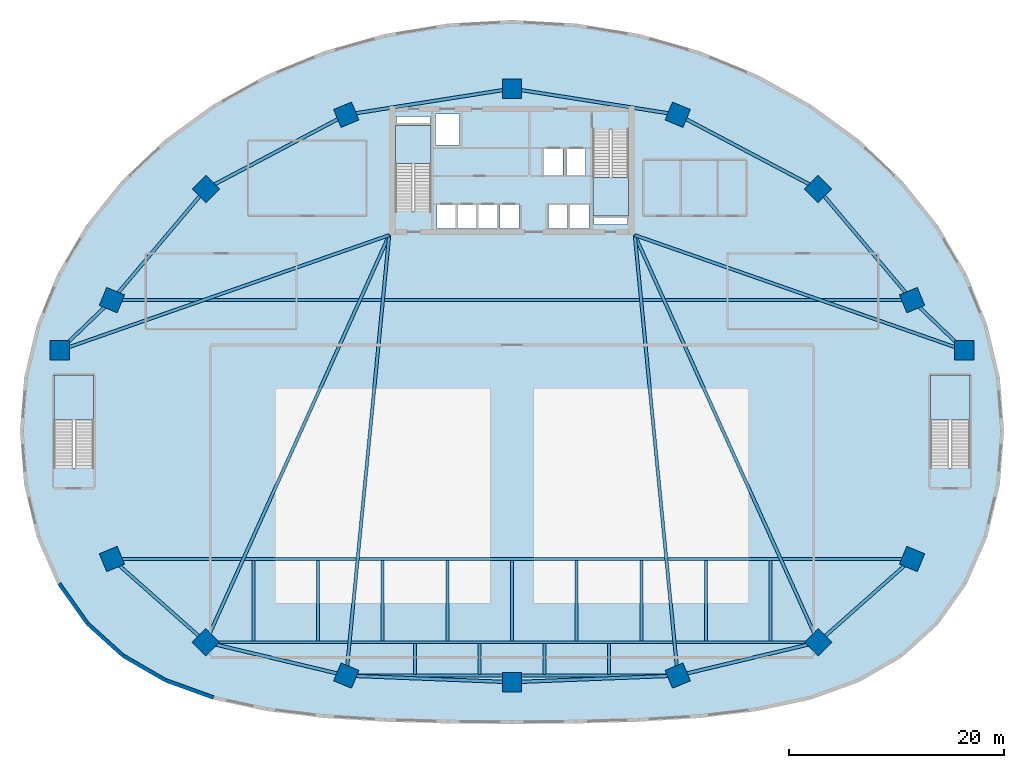
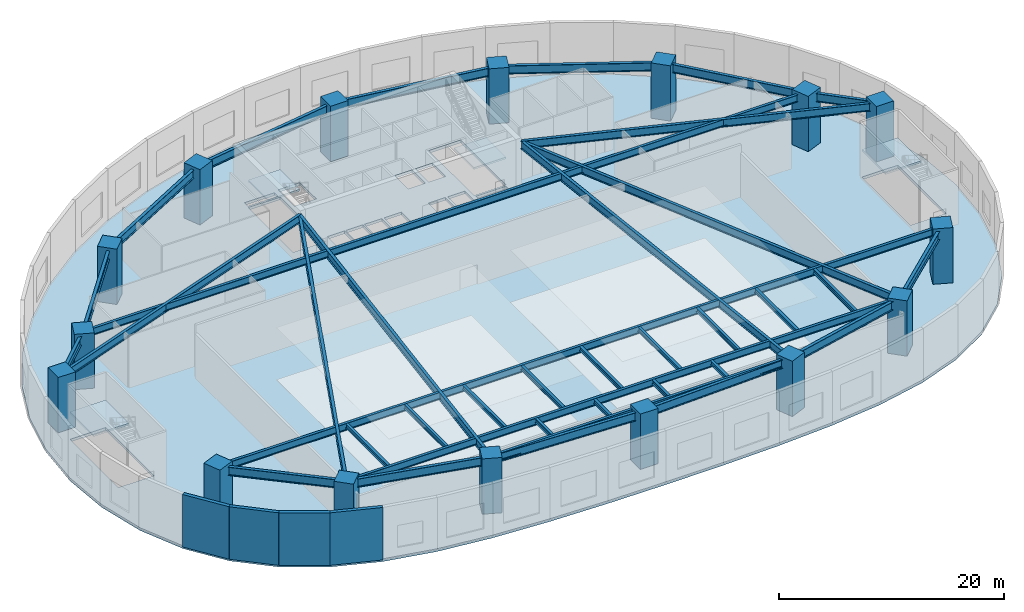
# One storey, part 1 of 10: 37 beams, 16 columns, 5 slabs, 4 walls, 4 elements without a shape of their own.
"""IFC4 building model written with IfcOpenShell, lengths in metres."""

from ifc_helpers import new_model, si_unit, direction, frame, frame_2d, origin, origin_2d, place, context, subcontext, project, spatial, polyline, rectangle, i_section, outline, extrude, source, transform, mapped, material, layer, layer_set, material_profile, profile_set, type_object, type_shapes, element, aggregate, save


model = new_model("IFC4")

# Units and contexts
model_context = context("Model", 3, precision=1e-05, world=origin(), true_north=direction((0.0, 1.0)))
body_context = subcontext(model_context, "Body", "Model", "MODEL_VIEW")
ifc_project = project(units=[si_unit("LENGTHUNIT", "METRE"), si_unit("AREAUNIT", "SQUARE_METRE"), si_unit("VOLUMEUNIT", "CUBIC_METRE"), si_unit("PLANEANGLEUNIT", "RADIAN"), si_unit("MASSUNIT", "GRAM", prefix="KILO")], contexts=[model_context])

# Site, building, storey
site_placement = place(None, origin())
site = spatial("IfcSite", under=ifc_project, at=site_placement, CompositionType="ELEMENT")
building_placement = place(site_placement, origin())
building = spatial("IfcBuilding", under=site, at=building_placement, Name="Breltana Convention Tower", CompositionType="ELEMENT")
storey_placement = place(building_placement, frame((0.0, 0.0, 6.0)))
storey = spatial("IfcBuildingStorey", under=building, at=storey_placement, Name="L01", CompositionType="ELEMENT", Elevation=6.0)

# Columns
ifc_material_1 = material(Name="Concrete C60/75", Category="concrete")
ifc_material_profile_1 = material_profile(ifc_material_1, rectangle(XDim=1.800048828125, YDim=1.800048828125, at=origin_2d()), Name="RC-COL-1800X1800")
ifc_profile_set_1 = profile_set([ifc_material_profile_1], Name="Concrete C60/75")
column_type = type_object("IfcColumnType", Name="COL-MC-1800", PredefinedType="COLUMN", material=ifc_profile_set_1)
shared_shape_1 = source(origin(), body_context, "Body", "SweptSolid", [
    extrude(rectangle(XDim=1.800048828125, YDim=1.800048828125, at=origin_2d()), origin(), (0.0, 0.0, 1.0), 6.0),
])
type_shapes(column_type, [shared_shape_1])
for number, where, z_axis, x_axis, name in (
    (1, (90.0, 49.5, 0.0), (0.0, 0.0, 1.0), (1.0, 0.0, 0.0), "L01 Podium Mega-Column MC-01"),
    (2, (85.139892578125, 54.169189453125, 0.0), (0.0, 0.0, 1.0), (0.923879532511, 0.382683432365, 0.0), "L01 Podium Mega-Column MC-02"),
    (3, (76.42578125, 64.486083984375, 0.0), (0.0, 0.0, 1.0), (0.707106781187, 0.707106781187, 0.0), "L01 Podium Mega-Column MC-03"),
    (4, (63.3837890625, 71.37939453125, 0.0), (0.0, 0.0, 1.0), (0.382683432365, 0.923879532511, 0.0), "L01 Podium Mega-Column MC-04"),
    (5, (48.0, 73.800048828125, 0.0), (0.0, 0.0, 1.0), (0.0, 1.0, 0.0), "L01 Podium Mega-Column MC-05"),
    (6, (32.6162109375, 71.37939453125, 0.0), (0.0, 0.0, 1.0), (-0.382683432365, 0.923879532511, 0.0), "L01 Podium Mega-Column MC-06"),
    (7, (19.57421875, 64.486083984375, 0.0), (0.0, 0.0, 1.0), (-0.707106781187, 0.707106781187, 0.0), "L01 Podium Mega-Column MC-07"),
    (8, (10.860107421875, 54.169189453125, 0.0), (0.0, 0.0, 1.0), (-0.923879532511, 0.382683432365, 0.0), "L01 Podium Mega-Column MC-08"),
    (9, (6.0, 49.5, 0.0), (0.0, 0.0, 1.0), (-1.0, 0.0, 0.0), "L01 Podium Mega-Column MC-09"),
    (10, (10.860107421875, 30.136962890625, 0.0), (0.0, 0.0, 1.0), (-0.923879532511, -0.382683432365, 0.0), "L01 Podium Mega-Column MC-10"),
    (11, (19.57421875, 22.412109375, 0.0), (0.0, 0.0, 1.0), (-0.707106781187, -0.707106781187, 0.0), "L01 Podium Mega-Column MC-11"),
    (12, (32.6162109375, 19.3125, 0.0), (0.0, 0.0, 1.0), (-0.382683432365, -0.923879532511, 0.0), "L01 Podium Mega-Column MC-12"),
    (13, (48.0, 18.699951171875, 0.0), (0.0, 0.0, 1.0), (0.0, -1.0, 0.0), "L01 Podium Mega-Column MC-13"),
    (14, (63.3837890625, 19.3125, 0.0), (0.0, 0.0, 1.0), (0.382683432365, -0.923879532511, 0.0), "L01 Podium Mega-Column MC-14"),
    (15, (76.42578125, 22.412109375, 0.0), (0.0, 0.0, 1.0), (0.707106781187, -0.707106781187, 0.0), "L01 Podium Mega-Column MC-15"),
    (16, (85.139892578125, 30.136962890625, 0.0), (0.0, 0.0, 1.0), (0.923879532511, -0.382683432365, 0.0), "L01 Podium Mega-Column MC-16"),
):
    element("IfcColumn", number, at=place(storey_placement, frame(where, z_axis=z_axis, x_axis=x_axis)), inside=storey, type_object=column_type, Name=name, PredefinedType="COLUMN", context=body_context, shape_type="MappedRepresentation", body=[
        mapped(shared_shape_1, transform((0.0, 0.0, 0.0), scale=1.0)),
    ])

# Beams
ifc_material_2 = material(Name="Steel ASTM A992 Grade 50", Category="steel")
ifc_material_profile_2 = material_profile(ifc_material_2, i_section(OverallWidth=0.304931640625, OverallDepth=0.9189453125, WebThickness=0.017333984375, FlangeThickness=0.02783203125, at=origin_2d()), Name="W36X170")
ifc_profile_set_2 = profile_set([ifc_material_profile_2], Name="Steel ASTM A992 Grade 50")
beam_type_1 = type_object("IfcBeamType", Name="BM-PD-W36X170", PredefinedType="USERDEFINED", material=ifc_profile_set_2)
shared_shape_2 = source(origin(), body_context, "Body", "SweptSolid", [
    extrude(i_section(OverallWidth=0.304931640625, OverallDepth=0.9189453125, WebThickness=0.017333984375, FlangeThickness=0.02783203125, at=origin_2d()), origin(), (0.0, 0.0, 1.0), 6.739501953125),
])
type_shapes(beam_type_1, [shared_shape_2])
for number, where, z_axis, x_axis, name in (
    (17, (90.0, 49.5, 5.240478515625), (-0.721128840463, 0.692800978242, 0.0), (-0.692800978242, -0.721128840463, 0.0), "L01 Podium Ring Girder 01"),
    (18, (10.860107421875, 54.169189453125, 5.240478515625), (-0.721128840463, -0.692800978242, 0.0), (0.692800978242, -0.721128840463, 0.0), "L01 Podium Ring Girder 08"),
):
    element("IfcBeam", number, at=place(storey_placement, frame(where, z_axis=z_axis, x_axis=x_axis)), inside=storey, type_object=beam_type_1, Name=name, ObjectType="GIRDER", PredefinedType="USERDEFINED", context=body_context, shape_type="MappedRepresentation", body=[
        mapped(shared_shape_2, transform((0.0, 0.0, 0.0), scale=1.0)),
    ])
shared_shape_3 = source(origin(), body_context, "Body", "SweptSolid", [
    extrude(i_section(OverallWidth=0.304931640625, OverallDepth=0.9189453125, WebThickness=0.017333984375, FlangeThickness=0.02783203125, at=origin_2d()), origin(), (0.0, 0.0, 1.0), 13.504638671875),
])
for number, where, z_axis, x_axis, name in (
    (19, (85.139892578125, 54.169189453125, 5.240478515625), (-0.645270162831, 0.763954460004, 0.0), (-0.763954460004, -0.645270162831, 0.0), "L01 Podium Ring Girder 02"),
    (20, (19.57421875, 64.486083984375, 5.240478515625), (-0.645270162831, -0.763954460004, 0.0), (0.763954460004, -0.645270162831, 0.0), "L01 Podium Ring Girder 07"),
):
    element("IfcBeam", number, at=place(storey_placement, frame(where, z_axis=z_axis, x_axis=x_axis)), inside=storey, type_object=beam_type_1, Name=name, ObjectType="GIRDER", PredefinedType="USERDEFINED", context=body_context, shape_type="MappedRepresentation", body=[
        mapped(shared_shape_3, transform((0.0, 0.0, 0.0), scale=1.0)),
    ])
shared_shape_4 = source(origin(), body_context, "Body", "SweptSolid", [
    extrude(i_section(OverallWidth=0.304931640625, OverallDepth=0.9189453125, WebThickness=0.017333984375, FlangeThickness=0.02783203125, at=origin_2d()), origin(), (0.0, 0.0, 1.0), 14.751708984375),
])
for number, where, z_axis, x_axis, name in (
    (21, (76.42578125, 64.486083984375, 5.240478515625), (-0.884103731281, 0.467290693611, 0.0), (-0.467290693611, -0.884103731281, 0.0), "L01 Podium Ring Girder 03"),
    (22, (32.6162109375, 71.37939453125, 5.240478515625), (-0.884103731281, -0.467290693611, 0.0), (0.467290693611, -0.884103731281, 0.0), "L01 Podium Ring Girder 06"),
):
    element("IfcBeam", number, at=place(storey_placement, frame(where, z_axis=z_axis, x_axis=x_axis)), inside=storey, type_object=beam_type_1, Name=name, ObjectType="GIRDER", PredefinedType="USERDEFINED", context=body_context, shape_type="MappedRepresentation", body=[
        mapped(shared_shape_4, transform((0.0, 0.0, 0.0), scale=1.0)),
    ])
shared_shape_5 = source(origin(), body_context, "Body", "SweptSolid", [
    extrude(i_section(OverallWidth=0.304931640625, OverallDepth=0.9189453125, WebThickness=0.017333984375, FlangeThickness=0.02783203125, at=origin_2d()), origin(), (0.0, 0.0, 1.0), 15.572998046875),
])
for number, where, z_axis, x_axis, name in (
    (23, (63.3837890625, 71.37939453125, 5.240478515625), (-0.987845575975, 0.155438470225, 0.0), (-0.155438470225, -0.987845575975, 0.0), "L01 Podium Ring Girder 04"),
    (24, (48.0, 73.800048828125, 5.240478515625), (-0.987845575975, -0.155438470225, 0.0), (0.155438470225, -0.987845575975, 0.0), "L01 Podium Ring Girder 05"),
):
    element("IfcBeam", number, at=place(storey_placement, frame(where, z_axis=z_axis, x_axis=x_axis)), inside=storey, type_object=beam_type_1, Name=name, ObjectType="GIRDER", PredefinedType="USERDEFINED", context=body_context, shape_type="MappedRepresentation", body=[
        mapped(shared_shape_5, transform((0.0, 0.0, 0.0), scale=1.0)),
    ])
shared_shape_6 = source(origin(), body_context, "Body", "SweptSolid", [
    extrude(i_section(OverallWidth=0.304931640625, OverallDepth=0.9189453125, WebThickness=0.017333984375, FlangeThickness=0.02783203125, at=origin_2d()), origin(), (0.0, 0.0, 1.0), 11.64501953125),
])
for number, where, z_axis, x_axis, name in (
    (25, (10.860107421875, 30.136962890625, 5.240478515625), (0.748305074373, -0.663354743458, 0.0), (0.663354743458, 0.748305074373, 0.0), "L01 Podium Ring Girder 10"),
    (26, (76.42578125, 22.412109375, 5.240478515625), (0.748305074373, 0.663354743458, 0.0), (-0.663354743458, 0.748305074373, 0.0), "L01 Podium Ring Girder 15"),
):
    element("IfcBeam", number, at=place(storey_placement, frame(where, z_axis=z_axis, x_axis=x_axis)), inside=storey, type_object=beam_type_1, Name=name, ObjectType="GIRDER", PredefinedType="USERDEFINED", context=body_context, shape_type="MappedRepresentation", body=[
        mapped(shared_shape_6, transform((0.0, 0.0, 0.0), scale=1.0)),
    ])
shared_shape_7 = source(origin(), body_context, "Body", "SweptSolid", [
    extrude(i_section(OverallWidth=0.304931640625, OverallDepth=0.9189453125, WebThickness=0.017333984375, FlangeThickness=0.02783203125, at=origin_2d()), origin(), (0.0, 0.0, 1.0), 13.4052734375),
])
for number, where, z_axis, x_axis, name in (
    (27, (19.57421875, 22.412109375, 5.240478515625), (0.972900712446, -0.231223276773, 0.0), (0.231223276773, 0.972900712446, 0.0), "L01 Podium Ring Girder 11"),
    (28, (63.3837890625, 19.3125, 5.240478515625), (0.972900712446, 0.231223276773, 0.0), (-0.231223276773, 0.972900712446, 0.0), "L01 Podium Ring Girder 14"),
):
    element("IfcBeam", number, at=place(storey_placement, frame(where, z_axis=z_axis, x_axis=x_axis)), inside=storey, type_object=beam_type_1, Name=name, ObjectType="GIRDER", PredefinedType="USERDEFINED", context=body_context, shape_type="MappedRepresentation", body=[
        mapped(shared_shape_7, transform((0.0, 0.0, 0.0), scale=1.0)),
    ])
shared_shape_8 = source(origin(), body_context, "Body", "SweptSolid", [
    extrude(i_section(OverallWidth=0.304931640625, OverallDepth=0.9189453125, WebThickness=0.017333984375, FlangeThickness=0.02783203125, at=origin_2d()), origin(), (0.0, 0.0, 1.0), 15.39599609375),
])
for number, where, z_axis, x_axis, name in (
    (29, (32.6162109375, 19.3125, 5.240478515625), (0.99920821229, -0.039786285226, 0.0), (0.039786285226, 0.99920821229, 0.0), "L01 Podium Ring Girder 12"),
    (30, (48.0, 18.699951171875, 5.240478515625), (0.99920821229, 0.039786285226, 0.0), (-0.039786285226, 0.99920821229, 0.0), "L01 Podium Ring Girder 13"),
):
    element("IfcBeam", number, at=place(storey_placement, frame(where, z_axis=z_axis, x_axis=x_axis)), inside=storey, type_object=beam_type_1, Name=name, ObjectType="GIRDER", PredefinedType="USERDEFINED", context=body_context, shape_type="MappedRepresentation", body=[
        mapped(shared_shape_8, transform((0.0, 0.0, 0.0), scale=1.0)),
    ])
ifc_material_profile_3 = material_profile(ifc_material_2, i_section(OverallWidth=0.2919921875, OverallDepth=0.845947265625, WebThickness=0.015380859375, FlangeThickness=0.0244140625, at=origin_2d()), Name="W33X141")
ifc_profile_set_3 = profile_set([ifc_material_profile_3], Name="Steel ASTM A992 Grade 50")
beam_type_2 = type_object("IfcBeamType", Name="BM-PD-W33X141", PredefinedType="USERDEFINED", material=ifc_profile_set_3)
shared_shape_9 = source(origin(), body_context, "Body", "SweptSolid", [
    extrude(i_section(OverallWidth=0.2919921875, OverallDepth=0.845947265625, WebThickness=0.015380859375, FlangeThickness=0.0244140625, at=origin_2d()), origin(), (0.0, 0.0, 1.0), 32.4169921875),
])
type_shapes(beam_type_2, [shared_shape_9])
for number, where, z_axis, x_axis, name in (
    (31, (90.0, 49.5, 5.277099609375), (-0.943955299763, 0.330073313143, 0.0), (-0.330073313143, -0.943955299763, 0.0), "L01 Long-Span Convention Girder 01"),
    (32, (6.0, 49.5, 5.277099609375), (0.943955299763, 0.330073313143, 0.0), (-0.330073313143, 0.943955299763, 0.0), "L01 Long-Span Convention Girder 09"),
):
    element("IfcBeam", number, at=place(storey_placement, frame(where, z_axis=z_axis, x_axis=x_axis)), inside=storey, type_object=beam_type_2, Name=name, ObjectType="GIRDER", PredefinedType="USERDEFINED", context=body_context, shape_type="MappedRepresentation", body=[
        mapped(shared_shape_9, transform((0.0, 0.0, 0.0), scale=1.0)),
    ])
shared_shape_10 = source(origin(), body_context, "Body", "SweptSolid", [
    extrude(i_section(OverallWidth=0.2919921875, OverallDepth=0.845947265625, WebThickness=0.015380859375, FlangeThickness=0.0244140625, at=origin_2d()), origin(), (0.0, 0.0, 1.0), 41.4462890625),
])
for number, where, z_axis, x_axis, name in (
    (33, (19.57421875, 22.412109375, 5.277099609375), (0.410793011164, 0.911728633958, 0.0), (-0.911728633958, 0.410793011164, 0.0), "L01 Long-Span Convention Girder 11"),
    (34, (76.42578125, 22.412109375, 5.277099609375), (-0.410793011164, 0.911728633958, 0.0), (-0.911728633958, -0.410793011164, 0.0), "L01 Long-Span Convention Girder 15"),
):
    element("IfcBeam", number, at=place(storey_placement, frame(where, z_axis=z_axis, x_axis=x_axis)), inside=storey, type_object=beam_type_2, Name=name, ObjectType="GIRDER", PredefinedType="USERDEFINED", context=body_context, shape_type="MappedRepresentation", body=[
        mapped(shared_shape_10, transform((0.0, 0.0, 0.0), scale=1.0)),
    ])
shared_shape_11 = source(origin(), body_context, "Body", "SweptSolid", [
    extrude(i_section(OverallWidth=0.2919921875, OverallDepth=0.845947265625, WebThickness=0.015380859375, FlangeThickness=0.0244140625, at=origin_2d()), origin(), (0.0, 0.0, 1.0), 41.0810546875),
])
for number, where, z_axis, x_axis, name in (
    (35, (32.6162109375, 19.3125, 5.277099609375), (0.096976195785, 0.995286701132, 0.0), (-0.995286701132, 0.096976195785, 0.0), "L01 Long-Span Convention Girder 12"),
    (36, (63.3837890625, 19.3125, 5.277099609375), (-0.096976195785, 0.995286701132, 0.0), (-0.995286701132, -0.096976195785, 0.0), "L01 Long-Span Convention Girder 14"),
):
    element("IfcBeam", number, at=place(storey_placement, frame(where, z_axis=z_axis, x_axis=x_axis)), inside=storey, type_object=beam_type_2, Name=name, ObjectType="GIRDER", PredefinedType="USERDEFINED", context=body_context, shape_type="MappedRepresentation", body=[
        mapped(shared_shape_11, transform((0.0, 0.0, 0.0), scale=1.0)),
    ])
ifc_material_profile_4 = material_profile(ifc_material_2, i_section(OverallWidth=0.26708984375, OverallDepth=0.761962890625, WebThickness=0.014404296875, FlangeThickness=0.021484375, at=origin_2d()), Name="W30X116")
ifc_profile_set_4 = profile_set([ifc_material_profile_4], Name="Steel ASTM A992 Grade 50")
beam_type_3 = type_object("IfcBeamType", Name="BM-PD-W30X116", PredefinedType="BEAM", material=ifc_profile_set_4)
shared_shape_12 = source(origin(), body_context, "Body", "SweptSolid", [
    extrude(i_section(OverallWidth=0.26708984375, OverallDepth=0.761962890625, WebThickness=0.014404296875, FlangeThickness=0.021484375, at=origin_2d()), origin(), (0.0, 0.0, 1.0), 74.27978515625),
])
type_shapes(beam_type_3, [shared_shape_12])
for number, where, z_axis, x_axis, name in (
    (37, (10.860107421875, 30.136962890625, 5.319091796875), (1.0, 0.0, 0.0), (0.0, 1.0, 0.0), "L01 Long-Span Hall Secondary Beam 01"),
    (38, (10.860107421875, 54.169189453125, 5.319091796875), (1.0, 0.0, 0.0), (0.0, 1.0, 0.0), "L01 Long-Span Hall Secondary Beam 04"),
):
    element("IfcBeam", number, at=place(storey_placement, frame(where, z_axis=z_axis, x_axis=x_axis)), inside=storey, type_object=beam_type_3, Name=name, PredefinedType="BEAM", context=body_context, shape_type="MappedRepresentation", body=[
        mapped(shared_shape_12, transform((0.0, 0.0, 0.0), scale=1.0)),
    ])
shared_shape_13 = source(origin(), body_context, "Body", "SweptSolid", [
    extrude(i_section(OverallWidth=0.26708984375, OverallDepth=0.761962890625, WebThickness=0.014404296875, FlangeThickness=0.021484375, at=origin_2d()), origin(), (0.0, 0.0, 1.0), 56.8515625),
])
beam_1_placement = place(storey_placement, frame((19.57421875, 22.412109375, 5.319091796875), z_axis=(1.0, 0.0, 0.0), x_axis=(0.0, 1.0, 0.0)))
element("IfcBeam", 39, at=beam_1_placement, inside=storey, type_object=beam_type_3, Name="L01 Long-Span Hall Secondary Beam 02", PredefinedType="BEAM", context=body_context, shape_type="MappedRepresentation", body=[
    mapped(shared_shape_13, transform((0.0, 0.0, 0.0), scale=1.0)),
])
shared_shape_14 = source(origin(), body_context, "Body", "SweptSolid", [
    extrude(i_section(OverallWidth=0.26708984375, OverallDepth=0.761962890625, WebThickness=0.014404296875, FlangeThickness=0.021484375, at=origin_2d()), origin(), (0.0, 0.0, 1.0), 30.767578125),
])
beam_2_placement = place(storey_placement, frame((32.6162109375, 19.3125, 5.319091796875), z_axis=(1.0, 0.0, 0.0), x_axis=(0.0, 1.0, 0.0)))
element("IfcBeam", 40, at=beam_2_placement, inside=storey, type_object=beam_type_3, Name="L01 Long-Span Hall Secondary Beam 03", PredefinedType="BEAM", context=body_context, shape_type="MappedRepresentation", body=[
    mapped(shared_shape_14, transform((0.0, 0.0, 0.0), scale=1.0)),
])
ifc_material_profile_5 = material_profile(ifc_material_2, i_section(OverallWidth=0.280029296875, OverallDepth=0.462890625, WebThickness=0.0107421875, FlangeThickness=0.017333984375, at=origin_2d()), Name="W18X76")
ifc_profile_set_5 = profile_set([ifc_material_profile_5], Name="Steel ASTM A992 Grade 50")
beam_type_4 = type_object("IfcBeamType", Name="BM-JS-W18X76", PredefinedType="JOIST", material=ifc_profile_set_5)
shared_shape_15 = source(origin(), body_context, "Body", "SweptSolid", [
    extrude(i_section(OverallWidth=0.280029296875, OverallDepth=0.462890625, WebThickness=0.0107421875, FlangeThickness=0.017333984375, at=origin_2d()), origin(), (0.0, 0.0, 1.0), 7.48486328125),
])
type_shapes(beam_type_4, [shared_shape_15])
for number, where, z_axis, x_axis, name in (
    (41, (24.0, 22.531982421875, 5.468505859375), (0.0, 1.0, 0.0), (-1.0, 0.0, 0.0), "L01 Hall Span Joist 1.24"),
    (42, (30.0, 22.531982421875, 5.468505859375), (0.0, 1.0, 0.0), (-1.0, 0.0, 0.0), "L01 Hall Span Joist 1.30"),
    (43, (36.0, 22.531982421875, 5.468505859375), (0.0, 1.0, 0.0), (-1.0, 0.0, 0.0), "L01 Hall Span Joist 1.36"),
    (44, (42.0, 22.531982421875, 5.468505859375), (0.0, 1.0, 0.0), (-1.0, 0.0, 0.0), "L01 Hall Span Joist 1.42"),
    (45, (48.0, 22.531982421875, 5.468505859375), (0.0, 1.0, 0.0), (-1.0, 0.0, 0.0), "L01 Hall Span Joist 1.48"),
    (46, (54.0, 22.531982421875, 5.468505859375), (0.0, 1.0, 0.0), (-1.0, 0.0, 0.0), "L01 Hall Span Joist 1.54"),
    (47, (60.0, 22.531982421875, 5.468505859375), (0.0, 1.0, 0.0), (-1.0, 0.0, 0.0), "L01 Hall Span Joist 1.60"),
    (48, (66.0, 22.531982421875, 5.468505859375), (0.0, 1.0, 0.0), (-1.0, 0.0, 0.0), "L01 Hall Span Joist 1.66"),
    (49, (72.0, 22.531982421875, 5.468505859375), (0.0, 1.0, 0.0), (-1.0, 0.0, 0.0), "L01 Hall Span Joist 1.72"),
):
    element("IfcBeam", number, at=place(storey_placement, frame(where, z_axis=z_axis, x_axis=x_axis)), inside=storey, type_object=beam_type_4, Name=name, PredefinedType="JOIST", context=body_context, shape_type="MappedRepresentation", body=[
        mapped(shared_shape_15, transform((0.0, 0.0, 0.0), scale=1.0)),
    ])
shared_shape_16 = source(origin(), body_context, "Body", "SweptSolid", [
    extrude(i_section(OverallWidth=0.280029296875, OverallDepth=0.462890625, WebThickness=0.0107421875, FlangeThickness=0.017333984375, at=origin_2d()), origin(), (0.0, 0.0, 1.0), 2.859375),
])
for number, where, z_axis, x_axis, name in (
    (50, (39.0, 19.4326171875, 5.468505859375), (0.0, 1.0, 0.0), (-1.0, 0.0, 0.0), "L01 Hall Span Joist 2.39"),
    (51, (45.0, 19.4326171875, 5.468505859375), (0.0, 1.0, 0.0), (-1.0, 0.0, 0.0), "L01 Hall Span Joist 2.45"),
    (52, (51.0, 19.4326171875, 5.468505859375), (0.0, 1.0, 0.0), (-1.0, 0.0, 0.0), "L01 Hall Span Joist 2.51"),
    (53, (57.0, 19.4326171875, 5.468505859375), (0.0, 1.0, 0.0), (-1.0, 0.0, 0.0), "L01 Hall Span Joist 2.57"),
):
    element("IfcBeam", number, at=place(storey_placement, frame(where, z_axis=z_axis, x_axis=x_axis)), inside=storey, type_object=beam_type_4, Name=name, PredefinedType="JOIST", context=body_context, shape_type="MappedRepresentation", body=[
        mapped(shared_shape_16, transform((0.0, 0.0, 0.0), scale=1.0)),
    ])

# Slab
ifc_material_3 = material(Name="Concrete C40/50", Category="concrete")
ifc_layer_1 = layer(ifc_material_3, 0.300048828125, Name="Concrete C40/50")
ifc_layer_set_1 = layer_set([ifc_layer_1], Name="Concrete C40/50")
slab_type_1 = type_object("IfcSlabType", Name="SL-POD-300", PredefinedType="FLOOR", material=ifc_layer_set_1)
slab_1_placement = place(storey_placement, frame((0.0, 0.0, -0.300048828125)))
element("IfcSlab", 54, at=slab_1_placement, inside=storey, type_object=slab_type_1, Name="L01 Suspended Structural Floor Slab", PredefinedType="FLOOR", context=body_context, shape_type="SweptSolid", body=[
    extrude(outline(polyline([(93.5, 42.0), (93.110595703125, 46.9599609375), (91.94970703125, 51.835205078125), (90.03662109375, 56.5419921875), (87.404296875, 61.0), (84.09765625, 65.1328125), (80.17333984375, 68.8701171875), (75.698486328125, 72.1474609375), (70.75, 74.908935546875), (65.412109375, 77.107421875), (59.7763671875, 78.705078125), (53.93896484375, 79.6748046875), (48.0, 80.0), (42.06103515625, 79.6748046875), (36.2236328125, 78.705078125), (30.587890625, 77.107421875), (25.25, 74.908935546875), (20.301513671875, 72.1474609375), (15.82666015625, 68.8701171875), (11.90234375, 65.1328125), (8.595703125, 61.0), (5.96337890625, 56.5419921875), (4.05029296875, 51.835205078125), (2.889404296875, 46.9599609375), (2.5, 42.0), (2.889404296875, 37.0400390625), (4.05029296875, 32.20849609375), (5.96337890625, 27.854248046875), (8.595703125, 24.14501953125), (11.90234375, 21.154052734375), (15.82666015625, 18.880615234375), (20.301513671875, 17.2626953125), (25.25, 16.196044921875), (30.587890625, 15.552734375), (36.2236328125, 15.205078125), (42.06103515625, 15.044921875), (48.0, 15.0), (53.93896484375, 15.044921875), (59.7763671875, 15.205078125), (65.412109375, 15.552734375), (70.75, 16.196044921875), (75.698486328125, 17.2626953125), (80.17333984375, 18.880615234375), (84.09765625, 21.154052734375), (87.404296875, 24.14501953125), (90.03662109375, 27.854248046875), (91.94970703125, 32.20849609375), (93.110595703125, 37.0400390625), (93.5, 42.0)]), holes=[polyline([(37.199951171875, 62.385009765625), (40.469970703125, 62.385009765625), (40.469970703125, 70.39990234375), (37.199951171875, 70.39990234375), (37.199951171875, 62.385009765625)]), polyline([(55.530029296875, 62.0), (58.800048828125, 62.0), (58.800048828125, 70.014892578125), (55.530029296875, 70.014892578125), (55.530029296875, 62.0)]), polyline([(5.5, 38.5849609375), (9.169921875, 38.5849609375), (9.169921875, 47.199951171875), (5.5, 47.199951171875), (5.5, 38.5849609375)]), polyline([(86.830078125, 38.5849609375), (90.5, 38.5849609375), (90.5, 47.199951171875), (86.830078125, 47.199951171875), (86.830078125, 38.5849609375)]), polyline([(41.0400390625, 60.800048828125), (42.800048828125, 60.800048828125), (42.800048828125, 62.97998046875), (41.0400390625, 62.97998046875), (41.0400390625, 60.800048828125)]), polyline([(42.93994140625, 60.800048828125), (44.699951171875, 60.800048828125), (44.699951171875, 62.97998046875), (42.93994140625, 62.97998046875), (42.93994140625, 60.800048828125)]), polyline([(44.8701171875, 60.800048828125), (46.6298828125, 60.800048828125), (46.6298828125, 62.97998046875), (44.8701171875, 62.97998046875), (44.8701171875, 60.800048828125)]), polyline([(46.8701171875, 60.800048828125), (48.6298828125, 60.800048828125), (48.6298828125, 62.97998046875), (46.8701171875, 62.97998046875), (46.8701171875, 60.800048828125)]), polyline([(51.39990234375, 60.800048828125), (53.159912109375, 60.800048828125), (53.159912109375, 62.97998046875), (51.39990234375, 62.97998046875), (51.39990234375, 60.800048828125)]), polyline([(53.39990234375, 60.800048828125), (55.159912109375, 60.800048828125), (55.159912109375, 62.97998046875), (53.39990234375, 62.97998046875), (53.39990234375, 60.800048828125)]), polyline([(50.969970703125, 65.800048828125), (52.72998046875, 65.800048828125), (52.72998046875, 68.179931640625), (50.969970703125, 68.179931640625), (50.969970703125, 65.800048828125)]), polyline([(53.070068359375, 65.800048828125), (54.830078125, 65.800048828125), (54.830078125, 68.179931640625), (53.070068359375, 68.179931640625), (53.070068359375, 65.800048828125)]), polyline([(40.8798828125, 68.550048828125), (43.1201171875, 68.550048828125), (43.1201171875, 71.449951171875), (40.8798828125, 71.449951171875), (40.8798828125, 68.550048828125)]), polyline([(37.300048828125, 70.60009765625), (40.3798828125, 70.60009765625), (40.3798828125, 71.219970703125), (37.300048828125, 71.219970703125), (37.300048828125, 70.60009765625)]), polyline([(55.6201171875, 61.179931640625), (58.699951171875, 61.179931640625), (58.699951171875, 61.800048828125), (55.6201171875, 61.800048828125), (55.6201171875, 61.179931640625)])]), origin(), (0.0, 0.0, 1.0), 0.300048828125),
])

# Stair, slab
stair_type_1 = type_object("IfcStairType", Name="ST-DOG-1560-R176", PredefinedType="HALF_TURN_STAIR", material=ifc_material_3)
stair_1_placement = place(storey_placement, origin())
stair_1 = element("IfcStair", 55, at=stair_1_placement, inside=storey, type_object=stair_type_1, Name="L01 Protected Core Exit Stair ST-1", PredefinedType="HALF_TURN_STAIR")
ifc_layer_2 = layer(ifc_material_3, 0.199951171875, Name="Concrete C40/50")
ifc_layer_set_2 = layer_set([ifc_layer_2], Name="Concrete C40/50")
slab_type_2 = type_object("IfcSlabType", Name="SL-STAIR-LANDING-200", PredefinedType="LANDING", material=ifc_layer_set_2)
slab_2_placement = place(storey_placement, frame((0.0, 0.0, 2.800048828125)))
slab_2 = element("IfcSlab", 56, at=slab_2_placement, type_object=slab_type_2, Name="ST-1 landing 1", PredefinedType="LANDING", context=body_context, shape_type="SweptSolid", body=[
    extrude(outline(polyline([(40.469970703125, 66.840087890625), (40.469970703125, 70.39990234375), (37.199951171875, 70.39990234375), (37.199951171875, 66.840087890625), (40.469970703125, 66.840087890625)])), origin(), (0.0, 0.0, 1.0), 0.199951171875),
])
aggregate(stair_1, [slab_2])

stair_2_placement = place(storey_placement, origin())
stair_2 = element("IfcStair", 57, at=stair_2_placement, inside=storey, type_object=stair_type_1, Name="L01 Protected Core Exit Stair ST-2", PredefinedType="HALF_TURN_STAIR")
slab_3_placement = place(storey_placement, frame((0.0, 0.0, 2.800048828125)))
slab_3 = element("IfcSlab", 58, at=slab_3_placement, type_object=slab_type_2, Name="ST-2 landing 1", PredefinedType="LANDING", context=body_context, shape_type="SweptSolid", body=[
    extrude(outline(polyline([(55.530029296875, 65.56005859375), (55.530029296875, 62.0), (58.800048828125, 62.0), (58.800048828125, 65.56005859375), (55.530029296875, 65.56005859375)])), origin(), (0.0, 0.0, 1.0), 0.199951171875),
])
aggregate(stair_2, [slab_3])

stair_type_2 = type_object("IfcStairType", Name="ST-DOG-1760-R176", PredefinedType="HALF_TURN_STAIR", material=ifc_material_3)
stair_3_placement = place(storey_placement, origin())
stair_3 = element("IfcStair", 59, at=stair_3_placement, inside=storey, type_object=stair_type_2, Name="L01 Protected Podium Exit Stair ST-3", PredefinedType="HALF_TURN_STAIR")
slab_4_placement = place(storey_placement, frame((0.0, 0.0, 2.800048828125)))
slab_4 = element("IfcSlab", 60, at=slab_4_placement, type_object=slab_type_2, Name="ST-3 landing 1", PredefinedType="LANDING", context=body_context, shape_type="SweptSolid", body=[
    extrude(outline(polyline([(9.169921875, 43.0400390625), (9.169921875, 47.199951171875), (5.5, 47.199951171875), (5.5, 43.0400390625), (9.169921875, 43.0400390625)])), origin(), (0.0, 0.0, 1.0), 0.199951171875),
])
aggregate(stair_3, [slab_4])

stair_4_placement = place(storey_placement, origin())
stair_4 = element("IfcStair", 61, at=stair_4_placement, inside=storey, type_object=stair_type_2, Name="L01 Protected Podium Exit Stair ST-4", PredefinedType="HALF_TURN_STAIR")
slab_5_placement = place(storey_placement, frame((0.0, 0.0, 2.800048828125)))
slab_5 = element("IfcSlab", 62, at=slab_5_placement, type_object=slab_type_2, Name="ST-4 landing 1", PredefinedType="LANDING", context=body_context, shape_type="SweptSolid", body=[
    extrude(outline(polyline([(90.5, 43.0400390625), (90.5, 47.199951171875), (86.830078125, 47.199951171875), (86.830078125, 43.0400390625), (90.5, 43.0400390625)])), origin(), (0.0, 0.0, 1.0), 0.199951171875),
])
aggregate(stair_4, [slab_5])

# Walls
ifc_material_4 = material(Name="Limestone Buff Insulated Wall", Category="masonry")
ifc_layer_3 = layer(ifc_material_4, 0.35009765625, Name="Limestone Buff Insulated Wall")
ifc_layer_set_3 = layer_set([ifc_layer_3], Name="Limestone Buff Insulated Wall")
wall_type = type_object("IfcWallType", Name="WL-EXT-POD-350", PredefinedType="SOLIDWALL", material=ifc_layer_set_3)
shared_shape_17 = source(origin(), body_context, "Body", "SweptSolid", [
    extrude(rectangle(XDim=4.54833984375, YDim=0.35009765625, at=frame_2d((2.274169921875, 0.0))), origin(), (0.0, 0.0, 1.0), 5.699951171875),
])
wall_1_placement = place(storey_placement, frame((5.96337890625, 27.854248046875, 0.0), z_axis=(0.0, 0.0, 1.0), x_axis=(0.578742399763, -0.815510413616, 0.0)))
element("IfcWall", 63, at=wall_1_placement, inside=storey, type_object=wall_type, Name="L01 limestone facade wall 28", PredefinedType="SOLIDWALL", context=body_context, shape_type="MappedRepresentation", body=[
    mapped(shared_shape_17, transform((0.0, 0.0, 0.0), scale=1.0)),
])
shared_shape_18 = source(origin(), body_context, "Body", "SweptSolid", [
    extrude(rectangle(XDim=4.458740234375, YDim=0.35009765625, at=frame_2d((2.2294921875, 0.0))), origin(), (0.0, 0.0, 1.0), 5.699951171875),
])
wall_2_placement = place(storey_placement, frame((8.595703125, 24.14501953125, 0.0), z_axis=(0.0, 0.0, 1.0), x_axis=(0.741620092595, -0.670820123625, 0.0)))
element("IfcWall", 64, at=wall_2_placement, inside=storey, type_object=wall_type, Name="L01 limestone facade wall 29", PredefinedType="SOLIDWALL", context=body_context, shape_type="MappedRepresentation", body=[
    mapped(shared_shape_18, transform((0.0, 0.0, 0.0), scale=1.0)),
])
shared_shape_19 = source(origin(), body_context, "Body", "SweptSolid", [
    extrude(rectangle(XDim=4.535400390625, YDim=0.35009765625, at=frame_2d((2.267578125, 0.0))), origin(), (0.0, 0.0, 1.0), 5.699951171875),
])
wall_3_placement = place(storey_placement, frame((11.90234375, 21.154052734375, 0.0), z_axis=(0.0, 0.0, 1.0), x_axis=(0.86528620064, -0.501278157295, 0.0)))
element("IfcWall", 65, at=wall_3_placement, inside=storey, type_object=wall_type, Name="L01 limestone facade wall 30", PredefinedType="SOLIDWALL", context=body_context, shape_type="MappedRepresentation", body=[
    mapped(shared_shape_19, transform((0.0, 0.0, 0.0), scale=1.0)),
])
shared_shape_20 = source(origin(), body_context, "Body", "SweptSolid", [
    extrude(rectangle(XDim=4.75830078125, YDim=0.35009765625, at=frame_2d((2.379150390625, 0.0))), origin(), (0.0, 0.0, 1.0), 5.699951171875),
])
wall_4_placement = place(storey_placement, frame((15.82666015625, 18.880615234375, 0.0), z_axis=(0.0, 0.0, 1.0), x_axis=(0.940419515454, -0.340016374538, 0.0)))
element("IfcWall", 66, at=wall_4_placement, inside=storey, type_object=wall_type, Name="L01 limestone facade wall 31", PredefinedType="SOLIDWALL", context=body_context, shape_type="MappedRepresentation", body=[
    mapped(shared_shape_20, transform((0.0, 0.0, 0.0), scale=1.0)),
])

save(model, "model.ifc")
